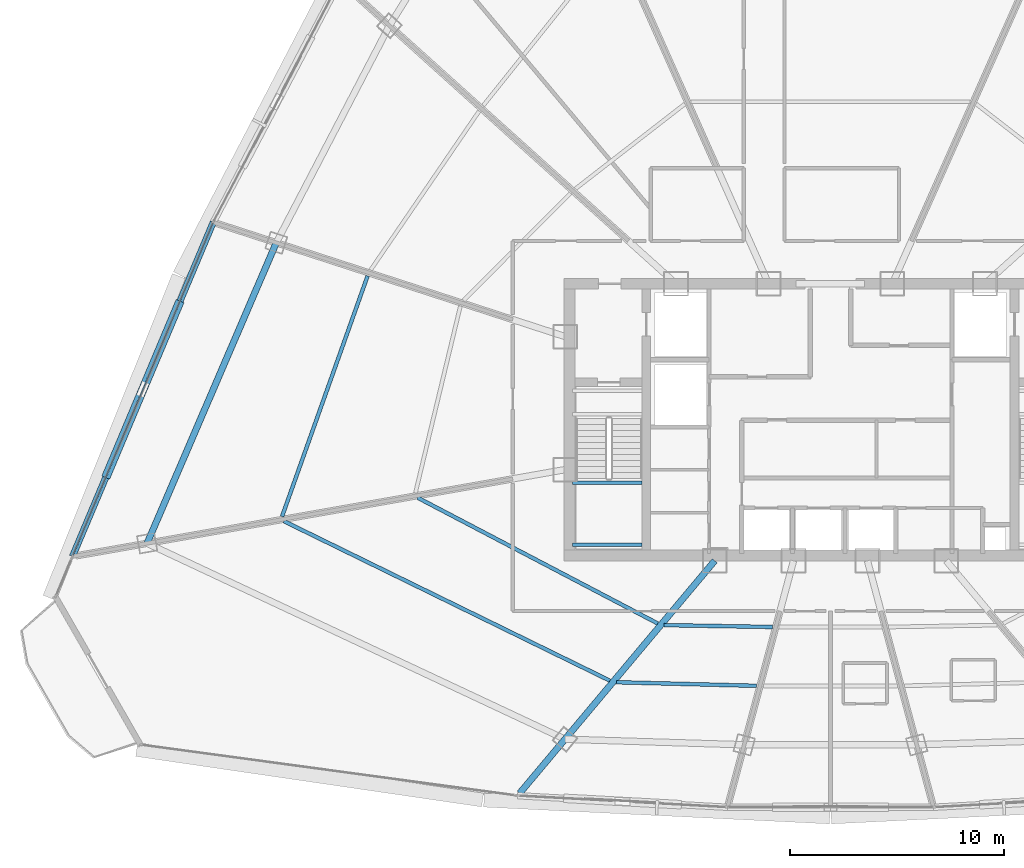
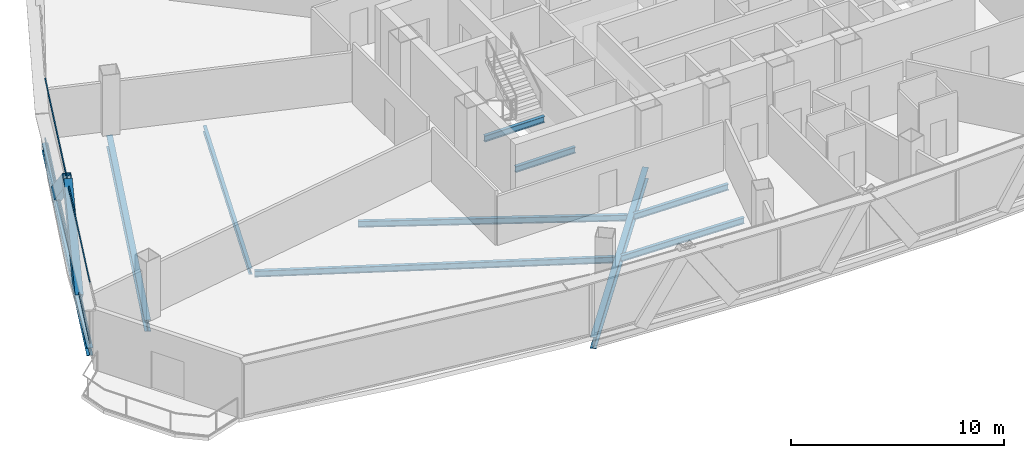
# One storey, part 7 of 34: 10 beams, 4 members, 1 element without a shape of its own.
"""IFC4 building model written with IfcOpenShell, lengths in metres."""

from ifc_helpers import new_model, si_unit, direction, frame, origin, origin_2d, place, context, subcontext, project, spatial, hollow_rectangle, i_section, extrude, source, transform, mapped, material, layer, layer_set, material_profile, profile_set, type_object, element, aggregate, save


model = new_model("IFC4")

# Units and contexts
model_context = context("Model", 3, precision=1e-05, world=origin(), true_north=direction((0.0, 1.0)))
body_context = subcontext(model_context, "Body", "Model", "MODEL_VIEW")
ifc_project = project(units=[si_unit("LENGTHUNIT", "METRE"), si_unit("AREAUNIT", "SQUARE_METRE"), si_unit("VOLUMEUNIT", "CUBIC_METRE"), si_unit("PLANEANGLEUNIT", "RADIAN"), si_unit("MASSUNIT", "GRAM", prefix="KILO"), si_unit("THERMODYNAMICTEMPERATUREUNIT", "KELVIN"), si_unit("POWERUNIT", "WATT")], contexts=[model_context])

# Site, building, storey
site_placement = place(None, origin())
site = spatial("IfcSite", under=ifc_project, at=site_placement, CompositionType="ELEMENT")
building_placement = place(site_placement, origin())
building = spatial("IfcBuilding", under=site, at=building_placement, Name="Yunzhuo Pagoda Commons", CompositionType="ELEMENT")
storey_placement = place(building_placement, frame((0.0, 0.0, 229.610107421875)))
storey = spatial("IfcBuildingStorey", under=building, at=storey_placement, Name="L57", CompositionType="ELEMENT", Elevation=229.610107421875)

# Beams
ifc_material_1 = material(Name="Structural steel Q355B", Category="steel")
ifc_material_profile_1 = material_profile(ifc_material_1, i_section(OverallWidth=0.175048828125, OverallDepth=0.35009765625, WebThickness=0.007080078125, FlangeThickness=0.010986328125, at=origin_2d()), Name="Structural steel Q355B")
ifc_profile_set_1 = profile_set([ifc_material_profile_1], Name="Structural steel Q355B")
beam_type_1 = type_object("IfcBeamType", Name="B-JS2 Joist HN 350x175x7x11", PredefinedType="JOIST", material=ifc_profile_set_1)
shared_shape_1 = source(origin(), body_context, "Body", "SweptSolid", [
    extrude(i_section(OverallWidth=0.175048828125, OverallDepth=0.35009765625, WebThickness=0.007080078125, FlangeThickness=0.010986328125, at=origin_2d()), origin(), (0.0, 0.0, 1.0), 3.25),
])
for number, where, z_axis, x_axis, name in (
    (1, (35.949951171875, 28.0, 1.489990234375), (1.0, 0.0, 0.0), (0.0, 1.0, 0.0), "L57 ST1 landing support beam 63A"),
    (2, (35.949951171875, 30.89990234375, 1.489990234375), (1.0, 0.0, 0.0), (0.0, 1.0, 0.0), "L57 ST1 landing support beam 63B"),
):
    element("IfcBeam", number, at=place(storey_placement, frame(where, z_axis=z_axis, x_axis=x_axis)), inside=storey, type_object=beam_type_1, Name=name, PredefinedType="JOIST", context=body_context, shape_type="MappedRepresentation", body=[
        mapped(shared_shape_1, transform((0.0, 0.0, 0.0), scale=1.0)),
    ])
ifc_material_profile_2 = material_profile(ifc_material_1, i_section(OverallWidth=0.300048828125, OverallDepth=0.43994140625, WebThickness=0.010986328125, FlangeThickness=0.01806640625, at=origin_2d()), Name="Structural steel Q355B")
ifc_profile_set_2 = profile_set([ifc_material_profile_2], Name="Structural steel Q355B")
beam_type_2 = type_object("IfcBeamType", Name="B-SP2 Beam HM 440x300x11x18", PredefinedType="BEAM", material=ifc_profile_set_2)
shared_shape_2 = source(origin(), body_context, "Body", "SweptSolid", [
    extrude(i_section(OverallWidth=0.300048828125, OverallDepth=0.43994140625, WebThickness=0.010986328125, FlangeThickness=0.01806640625, at=origin_2d()), origin(), (0.0, 0.0, 1.0), 16.947021484375),
])
beam_1_placement = place(storey_placement, frame((19.15576171875, 43.072265625, -0.480224609375), z_axis=(-0.388172279694, -0.921586827856, 0.0), x_axis=(0.921586827856, -0.388172279694, 0.0)))
element("IfcBeam", 3, at=beam_1_placement, inside=storey, type_object=beam_type_2, Name="L57 facade edge spandrel beam F3.3", PredefinedType="BEAM", context=body_context, shape_type="MappedRepresentation", body=[
    mapped(shared_shape_2, transform((0.0, 0.0, 0.0), scale=1.0)),
])
ifc_material_profile_3 = material_profile(ifc_material_1, i_section(OverallWidth=0.300048828125, OverallDepth=0.64990234375, WebThickness=0.012939453125, FlangeThickness=0.02197265625, at=origin_2d()), Name="Structural steel Q355B")
ifc_profile_set_3 = profile_set([ifc_material_profile_3], Name="Structural steel Q355B")
beam_type_3 = type_object("IfcBeamType", Name="B-RG2 Beam HN 650x300x13x22", PredefinedType="BEAM", material=ifc_profile_set_3)
shared_shape_3 = source(origin(), body_context, "Body", "SweptSolid", [
    extrude(i_section(OverallWidth=0.300048828125, OverallDepth=0.64990234375, WebThickness=0.012939453125, FlangeThickness=0.02197265625, at=origin_2d()), origin(), (0.0, 0.0, 1.0), 15.287841796875),
])
beam_2_placement = place(storey_placement, frame((22.101806640625, 42.114990234375, -0.585205078125), z_axis=(-0.394815333819, -0.918760497726, 0.0), x_axis=(0.918760497726, -0.394815333819, 0.0)))
element("IfcBeam", 4, at=beam_2_placement, inside=storey, type_object=beam_type_3, Name="L57 column-ring beam 11", PredefinedType="BEAM", context=body_context, shape_type="MappedRepresentation", body=[
    mapped(shared_shape_3, transform((0.0, 0.0, 0.0), scale=1.0)),
])
shared_shape_4 = source(origin(), body_context, "Body", "SweptSolid", [
    extrude(i_section(OverallWidth=0.300048828125, OverallDepth=0.64990234375, WebThickness=0.012939453125, FlangeThickness=0.02197265625, at=origin_2d()), origin(), (0.0, 0.0, 1.0), 14.174072265625),
])
beam_3_placement = place(storey_placement, frame((33.47705078125, 16.39208984375, -0.585205078125), z_axis=(0.642786427105, 0.766045435421, 0.0), x_axis=(-0.766045435421, 0.642786427105, 0.0)))
element("IfcBeam", 5, at=beam_3_placement, inside=storey, type_object=beam_type_3, Name="L57 radial floor girder F1C1", PredefinedType="BEAM", context=body_context, shape_type="MappedRepresentation", body=[
    mapped(shared_shape_4, transform((0.0, 0.0, 0.0), scale=1.0)),
])
shared_shape_5 = source(origin(), body_context, "Body", "SweptSolid", [
    extrude(i_section(OverallWidth=0.175048828125, OverallDepth=0.35009765625, WebThickness=0.007080078125, FlangeThickness=0.010986328125, at=origin_2d()), origin(), (0.0, 0.0, 1.0), 5.0556640625),
])
beam_4_placement = place(storey_placement, frame((40.228515625, 24.24609375, -0.43505859375), z_axis=(0.999848878561, -0.017384477, 0.0), x_axis=(0.017384477, 0.999848878561, 0.0)))
element("IfcBeam", 6, at=beam_4_placement, inside=storey, type_object=beam_type_1, Name="L57 composite ring joist 1.1", PredefinedType="JOIST", context=body_context, shape_type="MappedRepresentation", body=[
    mapped(shared_shape_5, transform((0.0, 0.0, 0.0), scale=1.0)),
])
shared_shape_6 = source(origin(), body_context, "Body", "SweptSolid", [
    extrude(i_section(OverallWidth=0.175048828125, OverallDepth=0.35009765625, WebThickness=0.007080078125, FlangeThickness=0.010986328125, at=origin_2d()), origin(), (0.0, 0.0, 1.0), 6.558349609375),
])
beam_5_placement = place(storey_placement, frame((37.990234375, 21.577392578125, -0.43505859375), z_axis=(0.99966910323, -0.025723220017, 0.0), x_axis=(0.025723220017, 0.99966910323, 0.0)))
element("IfcBeam", 7, at=beam_5_placement, inside=storey, type_object=beam_type_1, Name="L57 composite ring joist 2.1", PredefinedType="JOIST", context=body_context, shape_type="MappedRepresentation", body=[
    mapped(shared_shape_6, transform((0.0, 0.0, 0.0), scale=1.0)),
])
shared_shape_7 = source(origin(), body_context, "Body", "SweptSolid", [
    extrude(i_section(OverallWidth=0.175048828125, OverallDepth=0.35009765625, WebThickness=0.007080078125, FlangeThickness=0.010986328125, at=origin_2d()), origin(), (0.0, 0.0, 1.0), 12.666259765625),
])
beam_6_placement = place(storey_placement, frame((28.70849609375, 30.19970703125, -0.43505859375), z_axis=(0.885841344078, -0.463988268302, 0.0), x_axis=(0.463988268302, 0.885841344078, 0.0)))
element("IfcBeam", 8, at=beam_6_placement, inside=storey, type_object=beam_type_1, Name="L57 composite ring joist 1.12", PredefinedType="JOIST", context=body_context, shape_type="MappedRepresentation", body=[
    mapped(shared_shape_7, transform((0.0, 0.0, 0.0), scale=1.0)),
])
shared_shape_8 = source(origin(), body_context, "Body", "SweptSolid", [
    extrude(i_section(OverallWidth=0.175048828125, OverallDepth=0.35009765625, WebThickness=0.007080078125, FlangeThickness=0.010986328125, at=origin_2d()), origin(), (0.0, 0.0, 1.0), 16.95361328125),
])
beam_7_placement = place(storey_placement, frame((22.459716796875, 29.101806640625, -0.43505859375), z_axis=(0.898261717675, -0.439460904473, 0.0), x_axis=(0.439460904473, 0.898261717675, 0.0)))
element("IfcBeam", 9, at=beam_7_placement, inside=storey, type_object=beam_type_1, Name="L57 composite ring joist 2.12", PredefinedType="JOIST", context=body_context, shape_type="MappedRepresentation", body=[
    mapped(shared_shape_8, transform((0.0, 0.0, 0.0), scale=1.0)),
])
shared_shape_9 = source(origin(), body_context, "Body", "SweptSolid", [
    extrude(i_section(OverallWidth=0.175048828125, OverallDepth=0.35009765625, WebThickness=0.007080078125, FlangeThickness=0.010986328125, at=origin_2d()), origin(), (0.0, 0.0, 1.0), 11.929931640625),
])
beam_8_placement = place(storey_placement, frame((26.36767578125, 40.5615234375, -0.43505859375), z_axis=(-0.335086374925, -0.942187413066, 0.0), x_axis=(0.942187413066, -0.335086374925, 0.0)))
element("IfcBeam", 10, at=beam_8_placement, inside=storey, type_object=beam_type_1, Name="L57 composite ring joist 2.11", PredefinedType="JOIST", context=body_context, shape_type="MappedRepresentation", body=[
    mapped(shared_shape_9, transform((0.0, 0.0, 0.0), scale=1.0)),
])

# Members
ifc_material_profile_4 = material_profile(ifc_material_1, hollow_rectangle(XDim=0.39990234375, YDim=0.719970703125, WallThickness=0.02392578125, at=origin_2d()), Name="Structural steel Q355B")
ifc_profile_set_4 = profile_set([ifc_material_profile_4], Name="Structural steel Q355B")
member_type_1 = type_object("IfcMemberType", Name="M-DL2 Brace BOX 720x400x24", PredefinedType="BRACE", material=ifc_profile_set_4)
shared_shape_10 = source(origin(), body_context, "Body", "SweptSolid", [
    extrude(hollow_rectangle(XDim=0.39990234375, YDim=0.719970703125, WallThickness=0.02392578125, at=origin_2d()), origin(), (0.0, 0.0, 1.0), 5.644775390625),
])
for number, where, z_axis, x_axis, name in (
    (11, (17.511474609375, 39.167724609375, -0.260009765625), (-0.291380168499, -0.691708926051, 0.660784654049), (0.921571366712, -0.388208985027, 0.0), "L57 facade diamond brace F3.3L"),
    (12, (14.221923828125, 31.358642578125, -0.260009765625), (0.291380168499, 0.691708926051, 0.660784654049), (-0.921571366712, 0.388208985027, 0.0), "L57 facade diamond brace F3.3R"),
):
    element("IfcMember", number, at=place(storey_placement, frame(where, z_axis=z_axis, x_axis=x_axis)), inside=storey, type_object=member_type_1, Name=name, PredefinedType="BRACE", context=body_context, shape_type="MappedRepresentation", body=[
        mapped(shared_shape_10, transform((0.0, 0.0, 0.0), scale=1.0)),
    ])

# Curtain wall, members
ifc_material_2 = material(Name="Anodized aluminium 6063-T6", Category="aluminium")
ifc_layer = layer(ifc_material_2, 0.139892578125)
ifc_layer_set = layer_set([ifc_layer], Name="Anodized aluminium 6063-T6")
curtain_wall_type = type_object("IfcCurtainWallType", Name="CW-HI High-Zone Ribbon Curtain Wall", PredefinedType="NOTDEFINED", material=ifc_layer_set)
curtain_wall_placement = place(storey_placement, origin())
curtain_wall = element("IfcCurtainWall", 13, at=curtain_wall_placement, inside=storey, type_object=curtain_wall_type, Name="L57 curtain wall CW-L57-F3B4", PredefinedType="NOTDEFINED")
ifc_material_profile_5 = material_profile(ifc_material_2, hollow_rectangle(XDim=0.054931640625, YDim=0.1201171875, WallThickness=0.00341796875, at=origin_2d()), Name="Anodized aluminium 6063-T6")
ifc_profile_set_5 = profile_set([ifc_material_profile_5], Name="Anodized aluminium 6063-T6")
member_type_2 = type_object("IfcMemberType", Name="CW-HI-T Transom RHS 120x55x3.5", PredefinedType="USERDEFINED", material=ifc_profile_set_5)
shared_shape_11 = source(origin(), body_context, "Body", "SweptSolid", [
    extrude(hollow_rectangle(XDim=0.054931640625, YDim=0.1201171875, WallThickness=0.00341796875, at=origin_2d()), origin(), (0.0, 0.0, 1.0), 16.826904296875),
])
member_1_placement = place(storey_placement, frame((19.13232421875, 43.016845703125, 0.02734375), z_axis=(-0.388157536134, -0.921593037703, 0.0), x_axis=(0.921593037703, -0.388157536134, 0.0)))
member_1 = element("IfcMember", 14, at=member_1_placement, type_object=member_type_2, Name="CW transom 1.1", ObjectType="TRANSOM", PredefinedType="USERDEFINED", context=body_context, shape_type="MappedRepresentation", body=[
    mapped(shared_shape_11, transform((0.0, 0.0, 0.0), scale=1.0)),
])
member_2_placement = place(storey_placement, frame((19.13232421875, 43.016845703125, 3.4423828125), z_axis=(-0.388157536134, -0.921593037703, 0.0), x_axis=(0.921593037703, -0.388157536134, 0.0)))
member_2 = element("IfcMember", 15, at=member_2_placement, type_object=member_type_2, Name="CW transom 1.2", ObjectType="TRANSOM", PredefinedType="USERDEFINED", context=body_context, shape_type="MappedRepresentation", body=[
    mapped(shared_shape_11, transform((0.0, 0.0, 0.0), scale=1.0)),
])
aggregate(curtain_wall, [member_1, member_2])

save(model, "model.ifc")
